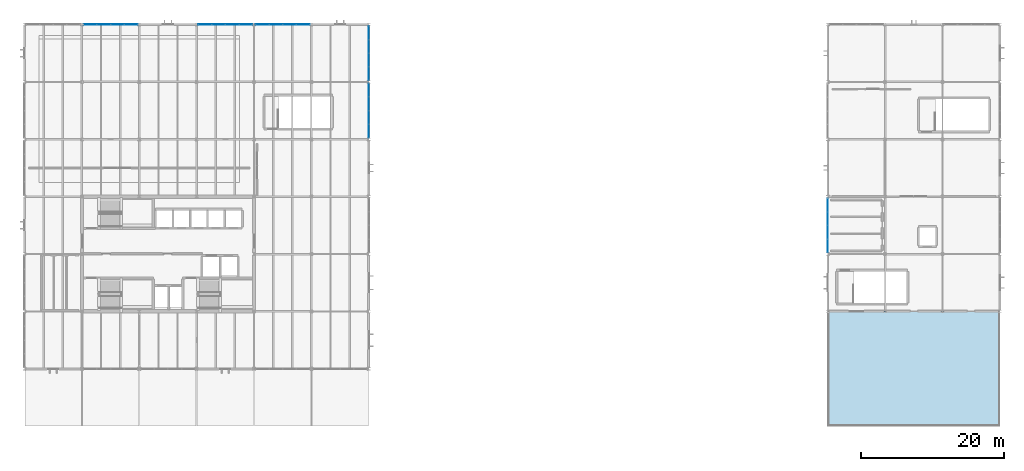
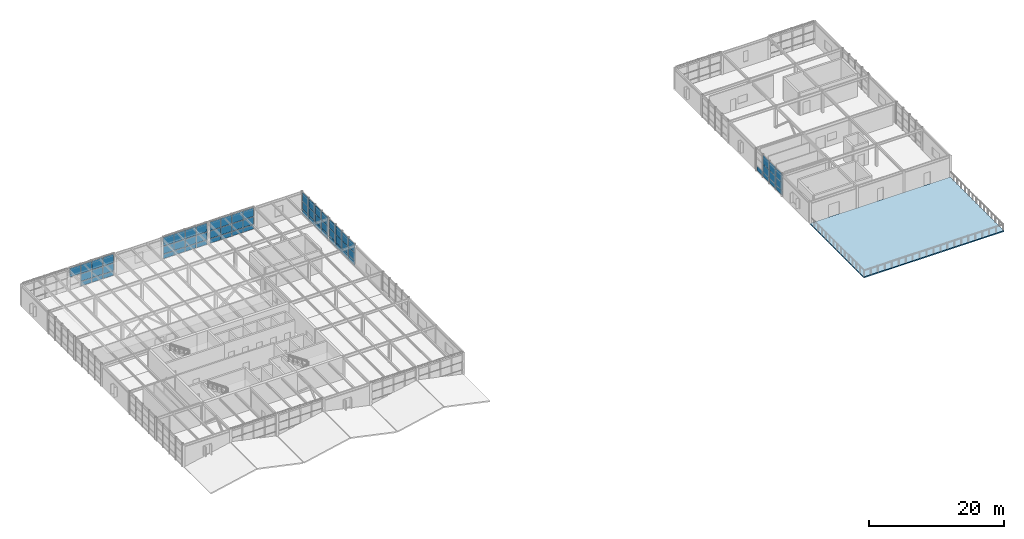
# One storey, part 23 of 34: 68 plates, 1 slab, 6 elements without a shape of their own.
"""IFC4 building model written with IfcOpenShell, lengths in metres."""

import ifcopenshell
import ifcopenshell.guid

model = None  # the IFC model being written
_history = None  # IfcOwnerHistory: only IFC2X3 demands one
_inside = {}  # id of a spatial element -> (the spatial element, [elements in it])
_under = {}  # id of a project, library or spatial element -> (it, [spatial elements below it])
_declared = {}  # id of a project -> (the project, [libraries it declares])
_typed = {}  # id of a type object -> (the type object, [elements of that type])
_made_of = {}  # id of a material, layer set ... -> (it, [elements and type objects made of it])


def new_model(schema):
    """Start an empty IFC model of exactly this schema.

    Asked for "IFC4X3", IfcOpenShell would pick the latest addendum, in which some entities
    have other attributes; the version numbers below select the first issue.
    IFC2X3 requires an IfcOwnerHistory on every rooted entity: one is made here for all.
    """
    global model, _history
    if schema == "IFC4X3":
        model = ifcopenshell.file(schema_version=(4, 3, 0, 0))
    else:
        model = ifcopenshell.file(schema=schema)
    _inside.clear()
    _under.clear()
    _declared.clear()
    _typed.clear()
    _made_of.clear()
    _history = None
    if model.schema == "IFC2X3":
        org = make("IfcOrganization", Name="unknown")
        user = make(
            "IfcPersonAndOrganization",
            ThePerson=make("IfcPerson", FamilyName="unknown"),
            TheOrganization=org,
        )
        app = make(
            "IfcApplication",
            ApplicationDeveloper=org,
            Version="unknown",
            ApplicationFullName="unknown",
            ApplicationIdentifier="unknown",
        )
        _history = make(
            "IfcOwnerHistory",
            OwningUser=user,
            OwningApplication=app,
            ChangeAction="ADDED",
            CreationDate=0,
        )
    return model


def make(cls, **values):
    """One entity of the class cls with the attributes given. An attribute that is None is left unset."""
    return model.create_entity(
        cls, **{name: value for name, value in values.items() if value is not None}
    )


def rooted(cls, **values):
    """An entity with a GlobalId (a new one), such as an element, a storey or a relation."""
    return make(cls, GlobalId=ifcopenshell.guid.new(), OwnerHistory=_history, **values)


def si_unit(unit_type, name, prefix=None):
    """IfcSIUnit, for example si_unit("LENGTHUNIT", "METRE", prefix="MILLI")."""
    return make("IfcSIUnit", UnitType=unit_type, Prefix=prefix, Name=name)


def assignment(units):
    """IfcUnitAssignment: the units of a project."""
    return None if units is None else make("IfcUnitAssignment", Units=units)


def point(xyz):
    """IfcCartesianPoint."""
    return None if xyz is None else make("IfcCartesianPoint", Coordinates=xyz)


def direction(xyz):
    """IfcDirection."""
    return None if xyz is None else make("IfcDirection", DirectionRatios=xyz)


def frame(location, z_axis=None, x_axis=None):
    """IfcAxis2Placement3D, a coordinate frame: its origin and axes. An axis left out is left unset."""
    return make(
        "IfcAxis2Placement3D",
        Location=point(location),
        Axis=direction(z_axis),
        RefDirection=direction(x_axis),
    )


def frame_2d(location, x_axis=None):
    """IfcAxis2Placement2D, a coordinate frame in the plane: its origin and x axis."""
    return make(
        "IfcAxis2Placement2D", Location=point(location), RefDirection=direction(x_axis)
    )


def origin():
    """The frame at (0, 0, 0) with its axes left unset."""
    return frame((0.0, 0.0, 0.0))


def origin_2d():
    """The frame at (0, 0) in the plane with its x axis left unset."""
    return frame_2d((0.0, 0.0))


def place(relative_to, where):
    """IfcLocalPlacement: puts the frame where relative to a parent placement (None: the world)."""
    return make(
        "IfcLocalPlacement", PlacementRelTo=relative_to, RelativePlacement=where
    )


def context(
    kind, dimensions, precision=None, world=None, true_north=None, identifier=None
):
    """IfcGeometricRepresentationContext, for example the 3D "Model" context."""
    return make(
        "IfcGeometricRepresentationContext",
        ContextIdentifier=identifier,
        ContextType=kind,
        CoordinateSpaceDimension=dimensions,
        Precision=precision,
        WorldCoordinateSystem=world,
        TrueNorth=true_north,
    )


def subcontext(parent, identifier, kind, view, scale=None):
    """IfcGeometricRepresentationSubContext, for example "Body" below "Model"."""
    return make(
        "IfcGeometricRepresentationSubContext",
        ContextIdentifier=identifier,
        ContextType=kind,
        ParentContext=parent,
        TargetScale=scale,
        TargetView=view,
    )


def project(units=None, contexts=None):
    """IfcProject with its units and contexts."""
    return rooted(
        "IfcProject",
        Name="project",
        RepresentationContexts=contexts,
        UnitsInContext=assignment(units),
    )


def spatial(cls, under=None, at=None, **own):
    """A site, building, storey or space (cls), placed at a placement, below another one or the project."""
    s = rooted(cls, ObjectPlacement=at, **own)
    if under is not None:
        _under.setdefault(under.id(), (under, []))[1].append(s)
    return s


def polyline(points):
    """IfcPolyline through the points."""
    return make("IfcPolyline", Points=[point(p) for p in points])


def profile(cls, at=None, kind="AREA", **sizes):
    """A parametric profile (cls). Its sizes go by their IFC names, for example OverallWidth=200.0."""
    return make(cls, ProfileType=kind, Position=at, **sizes)


def rectangle(**sizes):
    """IfcRectangleProfileDef."""
    return profile("IfcRectangleProfileDef", **sizes)


def outline(outer, holes=None, kind="AREA"):
    """IfcArbitraryClosedProfileDef: a profile drawn as a closed curve; with holes, ...WithVoids."""
    if holes is None:
        return make("IfcArbitraryClosedProfileDef", ProfileType=kind, OuterCurve=outer)
    return make(
        "IfcArbitraryProfileDefWithVoids",
        ProfileType=kind,
        OuterCurve=outer,
        InnerCurves=holes,
    )


def extrude(swept, where, along, depth):
    """IfcExtrudedAreaSolid: the profile swept, set in the frame where, extruded along a direction by depth."""
    return make(
        "IfcExtrudedAreaSolid",
        SweptArea=swept,
        Position=where,
        ExtrudedDirection=direction(along),
        Depth=depth,
    )


def shape(context_of_items, identifier, shape_type, items):
    """IfcShapeRepresentation: the items that make up one representation, for example the "Body"."""
    return make(
        "IfcShapeRepresentation",
        ContextOfItems=context_of_items,
        RepresentationIdentifier=identifier,
        RepresentationType=shape_type,
        Items=items,
    )


def material(Name=None, Category=None):
    """IfcMaterial."""
    return make("IfcMaterial", Name=Name, Category=Category)


def layer(
    of_material, thickness, ventilated=None, Name=None, Category=None, Priority=None
):
    """IfcMaterialLayer: one layer of a wall or slab, of a material (None: an air gap)."""
    return make(
        "IfcMaterialLayer",
        Material=of_material,
        LayerThickness=thickness,
        IsVentilated=ventilated,
        Name=Name,
        Category=Category,
        Priority=Priority,
    )


def layer_set(layers, Name=None):
    """IfcMaterialLayerSet."""
    return make("IfcMaterialLayerSet", MaterialLayers=layers, LayerSetName=Name)


def made_of(thing, what):
    """Note that an element or type object is made of a material, layer set ...; save() writes the relation."""
    if what is not None:
        _made_of.setdefault(what.id(), (what, []))[1].append(thing)
    return thing


def type_object(cls, material=None, **own):
    """A type object (cls), such as IfcWallType, which elements share."""
    return made_of(rooted(cls, **own), material)


def element(
    cls,
    number,
    at=None,
    inside=None,
    cuts=None,
    type_object=None,
    material=None,
    context=None,
    identifier="Body",
    shape_type=None,
    held_by="IfcProductDefinitionShape",
    body=None,
    shapes=None,
    **own,
):
    """One element of the class cls, such as IfcWall. Its Tag is "e" and its number.

    at: its placement. inside: the storey or other place that contains it. cuts: it is an
    opening in that element (IfcRelVoidsElement). A single representation is given by context,
    identifier, shape_type and body (its items); several are given by shapes. held_by: the class
    of the entity that holds the representations. save() writes the other relations.
    """
    e = rooted(cls, Tag="e%d" % number, ObjectPlacement=at, **own)
    if body is not None:
        shapes = [shape(context, identifier, shape_type, body)]
    if shapes is not None:
        e.Representation = make(held_by, Representations=shapes)
    if inside is not None:
        _inside.setdefault(inside.id(), (inside, []))[1].append(e)
    if cuts is not None:
        rooted(
            "IfcRelVoidsElement", RelatingBuildingElement=cuts, RelatedOpeningElement=e
        )
    if type_object is not None:
        _typed.setdefault(type_object.id(), (type_object, []))[1].append(e)
    return made_of(e, material)


def aggregate(whole, parts):
    """IfcRelAggregates: a whole, such as a stair, and the parts it consists of."""
    return rooted("IfcRelAggregates", RelatingObject=whole, RelatedObjects=parts)


def save(model, path):
    """Write the relations noted so far, then the file.

    IfcRelAggregates (storeys below a building ...), IfcRelContainedInSpatialStructure (elements
    in a storey), IfcRelDefinesByType, IfcRelAssociatesMaterial and IfcRelDeclares: one each for
    every whole, place, type object, material and project.
    """
    for whole, parts in _under.values():
        aggregate(whole, parts)
    for where, things in _inside.values():
        rooted(
            "IfcRelContainedInSpatialStructure",
            RelatedElements=things,
            RelatingStructure=where,
        )
    for kind, things in _typed.values():
        rooted("IfcRelDefinesByType", RelatedObjects=things, RelatingType=kind)
    for what, things in _made_of.values():
        rooted("IfcRelAssociatesMaterial", RelatedObjects=things, RelatingMaterial=what)
    for by, libraries in _declared.values():
        rooted("IfcRelDeclares", RelatingContext=by, RelatedDefinitions=libraries)
    model.write(path)


model = new_model("IFC4")

# Units and contexts
model_context = context("Model", 3, precision=1e-05, world=origin(), true_north=direction((0.0, 1.0)))
body_context = subcontext(model_context, "Body", "Model", "MODEL_VIEW")
ifc_project = project(units=[si_unit("LENGTHUNIT", "METRE"), si_unit("AREAUNIT", "SQUARE_METRE"), si_unit("VOLUMEUNIT", "CUBIC_METRE"), si_unit("PLANEANGLEUNIT", "RADIAN"), si_unit("MASSUNIT", "GRAM", prefix="KILO")], contexts=[model_context])

# Site, building, storey
site_placement = place(None, origin())
site = spatial("IfcSite", under=ifc_project, at=site_placement, CompositionType="ELEMENT")
building_placement = place(site_placement, origin())
building = spatial("IfcBuilding", under=site, at=building_placement, Name="Varnela Railside Interchange", CompositionType="ELEMENT")
storey_placement = place(building_placement, frame((0.0, 0.0, 19.60009765625)))
storey = spatial("IfcBuildingStorey", under=building, at=storey_placement, Name="L04", CompositionType="ELEMENT", Elevation=19.60009765625)

# Curtain wall, plates
ifc_material_1 = material(Name="Aluminium 6063-T6", Category="aluminium")
ifc_layer_1 = layer(ifc_material_1, 0.035888671875)
ifc_layer_set_1 = layer_set([ifc_layer_1], Name="Aluminium 6063-T6")
curtain_wall_type_1 = type_object("IfcCurtainWallType", Name="Operations Wing Facade Curtain Wall CW-03", PredefinedType="USERDEFINED", material=ifc_layer_set_1)
curtain_wall_1_placement = place(storey_placement, origin())
curtain_wall_1 = element("IfcCurtainWall", 1, at=curtain_wall_1_placement, inside=storey, type_object=curtain_wall_type_1, Name="Curtain Wall CW-03 (L04) (CW-106)", ObjectType="CURTAIN WALL", PredefinedType="USERDEFINED")
ifc_material_2 = material(Name="Glass laminated double", Category="glass")
ifc_layer_2 = layer(ifc_material_2, 0.0400390625)
ifc_layer_set_2 = layer_set([ifc_layer_2], Name="Glass laminated double")
plate_type_1 = type_object("IfcPlateType", Name="Acoustic Laminated Vision GL-03", PredefinedType="CURTAIN_PANEL", material=ifc_layer_set_2)
plate_1_placement = place(storey_placement, frame((13.15380859375, 94.0, 2.361328125), z_axis=(0.0, 0.0, 1.0), x_axis=(1.0, 0.0, 0.0)))
plate_1 = element("IfcPlate", 2, at=plate_1_placement, type_object=plate_type_1, Name="CW-03 panel 1.3", PredefinedType="CURTAIN_PANEL", context=body_context, shape_type="SweptSolid", body=[
    extrude(rectangle(XDim=1.8173828125, YDim=0.0400390625, at=origin_2d()), origin(), (0.0, 0.0, 1.0), 1.598388671875),
])
plate_2_placement = place(storey_placement, frame((15.046142578125, 94.0, 0.059814453125), z_axis=(0.0, 0.0, 1.0), x_axis=(1.0, 0.0, 0.0)))
plate_2 = element("IfcPlate", 3, at=plate_2_placement, type_object=plate_type_1, Name="CW-03 panel 2.1", PredefinedType="CURTAIN_PANEL", context=body_context, shape_type="SweptSolid", body=[
    extrude(rectangle(XDim=1.847412109375, YDim=0.0400390625, at=origin_2d()), origin(), (0.0, 0.0, 1.0), 0.81005859375),
])
plate_3_placement = place(storey_placement, frame((15.046142578125, 94.0, 0.929931640625), z_axis=(0.0, 0.0, 1.0), x_axis=(1.0, 0.0, 0.0)))
plate_3 = element("IfcPlate", 4, at=plate_3_placement, type_object=plate_type_1, Name="CW-03 panel 2.2", PredefinedType="CURTAIN_PANEL", context=body_context, shape_type="SweptSolid", body=[
    extrude(rectangle(XDim=1.847412109375, YDim=0.0400390625, at=origin_2d()), origin(), (0.0, 0.0, 1.0), 1.37158203125),
])
plate_4_placement = place(storey_placement, frame((15.046142578125, 94.0, 2.361328125), z_axis=(0.0, 0.0, 1.0), x_axis=(1.0, 0.0, 0.0)))
plate_4 = element("IfcPlate", 5, at=plate_4_placement, type_object=plate_type_1, Name="CW-03 panel 2.3", PredefinedType="CURTAIN_PANEL", context=body_context, shape_type="SweptSolid", body=[
    extrude(rectangle(XDim=1.847412109375, YDim=0.0400390625, at=origin_2d()), origin(), (0.0, 0.0, 1.0), 1.598388671875),
])
plate_5_placement = place(storey_placement, frame((16.953857421875, 94.0, 0.059814453125), z_axis=(0.0, 0.0, 1.0), x_axis=(1.0, 0.0, 0.0)))
plate_5 = element("IfcPlate", 6, at=plate_5_placement, type_object=plate_type_1, Name="CW-03 panel 3.1", PredefinedType="CURTAIN_PANEL", context=body_context, shape_type="SweptSolid", body=[
    extrude(rectangle(XDim=1.847412109375, YDim=0.0400390625, at=origin_2d()), origin(), (0.0, 0.0, 1.0), 0.81005859375),
])
plate_6_placement = place(storey_placement, frame((16.953857421875, 94.0, 0.929931640625), z_axis=(0.0, 0.0, 1.0), x_axis=(1.0, 0.0, 0.0)))
plate_6 = element("IfcPlate", 7, at=plate_6_placement, type_object=plate_type_1, Name="CW-03 panel 3.2", PredefinedType="CURTAIN_PANEL", context=body_context, shape_type="SweptSolid", body=[
    extrude(rectangle(XDim=1.847412109375, YDim=0.0400390625, at=origin_2d()), origin(), (0.0, 0.0, 1.0), 1.37158203125),
])
plate_7_placement = place(storey_placement, frame((16.953857421875, 94.0, 2.361328125), z_axis=(0.0, 0.0, 1.0), x_axis=(1.0, 0.0, 0.0)))
plate_7 = element("IfcPlate", 8, at=plate_7_placement, type_object=plate_type_1, Name="CW-03 panel 3.3", PredefinedType="CURTAIN_PANEL", context=body_context, shape_type="SweptSolid", body=[
    extrude(rectangle(XDim=1.847412109375, YDim=0.0400390625, at=origin_2d()), origin(), (0.0, 0.0, 1.0), 1.598388671875),
])
plate_8_placement = place(storey_placement, frame((18.84619140625, 94.0, 0.059814453125), z_axis=(0.0, 0.0, 1.0), x_axis=(1.0, 0.0, 0.0)))
plate_8 = element("IfcPlate", 9, at=plate_8_placement, type_object=plate_type_1, Name="CW-03 panel 4.1", PredefinedType="CURTAIN_PANEL", context=body_context, shape_type="SweptSolid", body=[
    extrude(rectangle(XDim=1.8173828125, YDim=0.0400390625, at=origin_2d()), origin(), (0.0, 0.0, 1.0), 0.81005859375),
])
plate_9_placement = place(storey_placement, frame((18.84619140625, 94.0, 0.929931640625), z_axis=(0.0, 0.0, 1.0), x_axis=(1.0, 0.0, 0.0)))
plate_9 = element("IfcPlate", 10, at=plate_9_placement, type_object=plate_type_1, Name="CW-03 panel 4.2", PredefinedType="CURTAIN_PANEL", context=body_context, shape_type="SweptSolid", body=[
    extrude(rectangle(XDim=1.8173828125, YDim=0.0400390625, at=origin_2d()), origin(), (0.0, 0.0, 1.0), 1.37158203125),
])
plate_10_placement = place(storey_placement, frame((18.84619140625, 94.0, 2.361328125), z_axis=(0.0, 0.0, 1.0), x_axis=(1.0, 0.0, 0.0)))
plate_10 = element("IfcPlate", 11, at=plate_10_placement, type_object=plate_type_1, Name="CW-03 panel 4.3", PredefinedType="CURTAIN_PANEL", context=body_context, shape_type="SweptSolid", body=[
    extrude(rectangle(XDim=1.8173828125, YDim=0.0400390625, at=origin_2d()), origin(), (0.0, 0.0, 1.0), 1.598388671875),
])
aggregate(curtain_wall_1, [plate_1, plate_2, plate_3, plate_4, plate_5, plate_6, plate_7, plate_8, plate_9, plate_10])

curtain_wall_2_placement = place(storey_placement, origin())
curtain_wall_2 = element("IfcCurtainWall", 12, at=curtain_wall_2_placement, inside=storey, type_object=curtain_wall_type_1, Name="Curtain Wall CW-03 (L04) (CW-107)", ObjectType="CURTAIN WALL", PredefinedType="USERDEFINED")
plate_11_placement = place(storey_placement, frame((29.15380859375, 94.0, 0.059814453125), z_axis=(0.0, 0.0, 1.0), x_axis=(1.0, 0.0, 0.0)))
plate_11 = element("IfcPlate", 13, at=plate_11_placement, type_object=plate_type_1, Name="CW-03 panel 1.1", PredefinedType="CURTAIN_PANEL", context=body_context, shape_type="SweptSolid", body=[
    extrude(rectangle(XDim=1.8173828125, YDim=0.0400390625, at=origin_2d()), origin(), (0.0, 0.0, 1.0), 0.81005859375),
])
plate_12_placement = place(storey_placement, frame((29.15380859375, 94.0, 0.929931640625), z_axis=(0.0, 0.0, 1.0), x_axis=(1.0, 0.0, 0.0)))
plate_12 = element("IfcPlate", 14, at=plate_12_placement, type_object=plate_type_1, Name="CW-03 panel 1.2", PredefinedType="CURTAIN_PANEL", context=body_context, shape_type="SweptSolid", body=[
    extrude(rectangle(XDim=1.8173828125, YDim=0.0400390625, at=origin_2d()), origin(), (0.0, 0.0, 1.0), 1.37158203125),
])
plate_13_placement = place(storey_placement, frame((29.15380859375, 94.0, 2.361328125), z_axis=(0.0, 0.0, 1.0), x_axis=(1.0, 0.0, 0.0)))
plate_13 = element("IfcPlate", 15, at=plate_13_placement, type_object=plate_type_1, Name="CW-03 panel 1.3", PredefinedType="CURTAIN_PANEL", context=body_context, shape_type="SweptSolid", body=[
    extrude(rectangle(XDim=1.8173828125, YDim=0.0400390625, at=origin_2d()), origin(), (0.0, 0.0, 1.0), 1.598388671875),
])
plate_14_placement = place(storey_placement, frame((31.046142578125, 94.0, 0.059814453125), z_axis=(0.0, 0.0, 1.0), x_axis=(1.0, 0.0, 0.0)))
plate_14 = element("IfcPlate", 16, at=plate_14_placement, type_object=plate_type_1, Name="CW-03 panel 2.1", PredefinedType="CURTAIN_PANEL", context=body_context, shape_type="SweptSolid", body=[
    extrude(rectangle(XDim=1.847412109375, YDim=0.0400390625, at=origin_2d()), origin(), (0.0, 0.0, 1.0), 0.81005859375),
])
plate_15_placement = place(storey_placement, frame((31.046142578125, 94.0, 0.929931640625), z_axis=(0.0, 0.0, 1.0), x_axis=(1.0, 0.0, 0.0)))
plate_15 = element("IfcPlate", 17, at=plate_15_placement, type_object=plate_type_1, Name="CW-03 panel 2.2", PredefinedType="CURTAIN_PANEL", context=body_context, shape_type="SweptSolid", body=[
    extrude(rectangle(XDim=1.847412109375, YDim=0.0400390625, at=origin_2d()), origin(), (0.0, 0.0, 1.0), 1.37158203125),
])
plate_16_placement = place(storey_placement, frame((31.046142578125, 94.0, 2.361328125), z_axis=(0.0, 0.0, 1.0), x_axis=(1.0, 0.0, 0.0)))
plate_16 = element("IfcPlate", 18, at=plate_16_placement, type_object=plate_type_1, Name="CW-03 panel 2.3", PredefinedType="CURTAIN_PANEL", context=body_context, shape_type="SweptSolid", body=[
    extrude(rectangle(XDim=1.847412109375, YDim=0.0400390625, at=origin_2d()), origin(), (0.0, 0.0, 1.0), 1.598388671875),
])
plate_17_placement = place(storey_placement, frame((32.953857421875, 94.0, 0.059814453125), z_axis=(0.0, 0.0, 1.0), x_axis=(1.0, 0.0, 0.0)))
plate_17 = element("IfcPlate", 19, at=plate_17_placement, type_object=plate_type_1, Name="CW-03 panel 3.1", PredefinedType="CURTAIN_PANEL", context=body_context, shape_type="SweptSolid", body=[
    extrude(rectangle(XDim=1.847412109375, YDim=0.0400390625, at=origin_2d()), origin(), (0.0, 0.0, 1.0), 0.81005859375),
])
plate_18_placement = place(storey_placement, frame((32.953857421875, 94.0, 0.929931640625), z_axis=(0.0, 0.0, 1.0), x_axis=(1.0, 0.0, 0.0)))
plate_18 = element("IfcPlate", 20, at=plate_18_placement, type_object=plate_type_1, Name="CW-03 panel 3.2", PredefinedType="CURTAIN_PANEL", context=body_context, shape_type="SweptSolid", body=[
    extrude(rectangle(XDim=1.847412109375, YDim=0.0400390625, at=origin_2d()), origin(), (0.0, 0.0, 1.0), 1.37158203125),
])
plate_19_placement = place(storey_placement, frame((32.953857421875, 94.0, 2.361328125), z_axis=(0.0, 0.0, 1.0), x_axis=(1.0, 0.0, 0.0)))
plate_19 = element("IfcPlate", 21, at=plate_19_placement, type_object=plate_type_1, Name="CW-03 panel 3.3", PredefinedType="CURTAIN_PANEL", context=body_context, shape_type="SweptSolid", body=[
    extrude(rectangle(XDim=1.847412109375, YDim=0.0400390625, at=origin_2d()), origin(), (0.0, 0.0, 1.0), 1.598388671875),
])
plate_20_placement = place(storey_placement, frame((34.84619140625, 94.0, 0.059814453125), z_axis=(0.0, 0.0, 1.0), x_axis=(1.0, 0.0, 0.0)))
plate_20 = element("IfcPlate", 22, at=plate_20_placement, type_object=plate_type_1, Name="CW-03 panel 4.1", PredefinedType="CURTAIN_PANEL", context=body_context, shape_type="SweptSolid", body=[
    extrude(rectangle(XDim=1.8173828125, YDim=0.0400390625, at=origin_2d()), origin(), (0.0, 0.0, 1.0), 0.81005859375),
])
plate_21_placement = place(storey_placement, frame((34.84619140625, 94.0, 0.929931640625), z_axis=(0.0, 0.0, 1.0), x_axis=(1.0, 0.0, 0.0)))
plate_21 = element("IfcPlate", 23, at=plate_21_placement, type_object=plate_type_1, Name="CW-03 panel 4.2", PredefinedType="CURTAIN_PANEL", context=body_context, shape_type="SweptSolid", body=[
    extrude(rectangle(XDim=1.8173828125, YDim=0.0400390625, at=origin_2d()), origin(), (0.0, 0.0, 1.0), 1.37158203125),
])
plate_22_placement = place(storey_placement, frame((34.84619140625, 94.0, 2.361328125), z_axis=(0.0, 0.0, 1.0), x_axis=(1.0, 0.0, 0.0)))
plate_22 = element("IfcPlate", 24, at=plate_22_placement, type_object=plate_type_1, Name="CW-03 panel 4.3", PredefinedType="CURTAIN_PANEL", context=body_context, shape_type="SweptSolid", body=[
    extrude(rectangle(XDim=1.8173828125, YDim=0.0400390625, at=origin_2d()), origin(), (0.0, 0.0, 1.0), 1.598388671875),
])
aggregate(curtain_wall_2, [plate_11, plate_12, plate_13, plate_14, plate_15, plate_16, plate_17, plate_18, plate_19, plate_20, plate_21, plate_22])

curtain_wall_3_placement = place(storey_placement, origin())
curtain_wall_3 = element("IfcCurtainWall", 25, at=curtain_wall_3_placement, inside=storey, type_object=curtain_wall_type_1, Name="Curtain Wall CW-03 (L04) (CW-108)", ObjectType="CURTAIN WALL", PredefinedType="USERDEFINED")
plate_23_placement = place(storey_placement, frame((37.15380859375, 94.0, 0.059814453125), z_axis=(0.0, 0.0, 1.0), x_axis=(1.0, 0.0, 0.0)))
plate_23 = element("IfcPlate", 26, at=plate_23_placement, type_object=plate_type_1, Name="CW-03 panel 1.1", PredefinedType="CURTAIN_PANEL", context=body_context, shape_type="SweptSolid", body=[
    extrude(rectangle(XDim=1.8173828125, YDim=0.0400390625, at=origin_2d()), origin(), (0.0, 0.0, 1.0), 0.81005859375),
])
plate_24_placement = place(storey_placement, frame((37.15380859375, 94.0, 0.929931640625), z_axis=(0.0, 0.0, 1.0), x_axis=(1.0, 0.0, 0.0)))
plate_24 = element("IfcPlate", 27, at=plate_24_placement, type_object=plate_type_1, Name="CW-03 panel 1.2", PredefinedType="CURTAIN_PANEL", context=body_context, shape_type="SweptSolid", body=[
    extrude(rectangle(XDim=1.8173828125, YDim=0.0400390625, at=origin_2d()), origin(), (0.0, 0.0, 1.0), 1.37158203125),
])
plate_25_placement = place(storey_placement, frame((37.15380859375, 94.0, 2.361328125), z_axis=(0.0, 0.0, 1.0), x_axis=(1.0, 0.0, 0.0)))
plate_25 = element("IfcPlate", 28, at=plate_25_placement, type_object=plate_type_1, Name="CW-03 panel 1.3", PredefinedType="CURTAIN_PANEL", context=body_context, shape_type="SweptSolid", body=[
    extrude(rectangle(XDim=1.8173828125, YDim=0.0400390625, at=origin_2d()), origin(), (0.0, 0.0, 1.0), 1.598388671875),
])
plate_26_placement = place(storey_placement, frame((39.046142578125, 94.0, 0.059814453125), z_axis=(0.0, 0.0, 1.0), x_axis=(1.0, 0.0, 0.0)))
plate_26 = element("IfcPlate", 29, at=plate_26_placement, type_object=plate_type_1, Name="CW-03 panel 2.1", PredefinedType="CURTAIN_PANEL", context=body_context, shape_type="SweptSolid", body=[
    extrude(rectangle(XDim=1.847412109375, YDim=0.0400390625, at=origin_2d()), origin(), (0.0, 0.0, 1.0), 0.81005859375),
])
plate_27_placement = place(storey_placement, frame((39.046142578125, 94.0, 0.929931640625), z_axis=(0.0, 0.0, 1.0), x_axis=(1.0, 0.0, 0.0)))
plate_27 = element("IfcPlate", 30, at=plate_27_placement, type_object=plate_type_1, Name="CW-03 panel 2.2", PredefinedType="CURTAIN_PANEL", context=body_context, shape_type="SweptSolid", body=[
    extrude(rectangle(XDim=1.847412109375, YDim=0.0400390625, at=origin_2d()), origin(), (0.0, 0.0, 1.0), 1.37158203125),
])
plate_28_placement = place(storey_placement, frame((39.046142578125, 94.0, 2.361328125), z_axis=(0.0, 0.0, 1.0), x_axis=(1.0, 0.0, 0.0)))
plate_28 = element("IfcPlate", 31, at=plate_28_placement, type_object=plate_type_1, Name="CW-03 panel 2.3", PredefinedType="CURTAIN_PANEL", context=body_context, shape_type="SweptSolid", body=[
    extrude(rectangle(XDim=1.847412109375, YDim=0.0400390625, at=origin_2d()), origin(), (0.0, 0.0, 1.0), 1.598388671875),
])
plate_29_placement = place(storey_placement, frame((40.953857421875, 94.0, 0.059814453125), z_axis=(0.0, 0.0, 1.0), x_axis=(1.0, 0.0, 0.0)))
plate_29 = element("IfcPlate", 32, at=plate_29_placement, type_object=plate_type_1, Name="CW-03 panel 3.1", PredefinedType="CURTAIN_PANEL", context=body_context, shape_type="SweptSolid", body=[
    extrude(rectangle(XDim=1.847412109375, YDim=0.0400390625, at=origin_2d()), origin(), (0.0, 0.0, 1.0), 0.81005859375),
])
plate_30_placement = place(storey_placement, frame((40.953857421875, 94.0, 0.929931640625), z_axis=(0.0, 0.0, 1.0), x_axis=(1.0, 0.0, 0.0)))
plate_30 = element("IfcPlate", 33, at=plate_30_placement, type_object=plate_type_1, Name="CW-03 panel 3.2", PredefinedType="CURTAIN_PANEL", context=body_context, shape_type="SweptSolid", body=[
    extrude(rectangle(XDim=1.847412109375, YDim=0.0400390625, at=origin_2d()), origin(), (0.0, 0.0, 1.0), 1.37158203125),
])
plate_31_placement = place(storey_placement, frame((40.953857421875, 94.0, 2.361328125), z_axis=(0.0, 0.0, 1.0), x_axis=(1.0, 0.0, 0.0)))
plate_31 = element("IfcPlate", 34, at=plate_31_placement, type_object=plate_type_1, Name="CW-03 panel 3.3", PredefinedType="CURTAIN_PANEL", context=body_context, shape_type="SweptSolid", body=[
    extrude(rectangle(XDim=1.847412109375, YDim=0.0400390625, at=origin_2d()), origin(), (0.0, 0.0, 1.0), 1.598388671875),
])
plate_32_placement = place(storey_placement, frame((42.84619140625, 94.0, 0.059814453125), z_axis=(0.0, 0.0, 1.0), x_axis=(1.0, 0.0, 0.0)))
plate_32 = element("IfcPlate", 35, at=plate_32_placement, type_object=plate_type_1, Name="CW-03 panel 4.1", PredefinedType="CURTAIN_PANEL", context=body_context, shape_type="SweptSolid", body=[
    extrude(rectangle(XDim=1.8173828125, YDim=0.0400390625, at=origin_2d()), origin(), (0.0, 0.0, 1.0), 0.81005859375),
])
plate_33_placement = place(storey_placement, frame((42.84619140625, 94.0, 0.929931640625), z_axis=(0.0, 0.0, 1.0), x_axis=(1.0, 0.0, 0.0)))
plate_33 = element("IfcPlate", 36, at=plate_33_placement, type_object=plate_type_1, Name="CW-03 panel 4.2", PredefinedType="CURTAIN_PANEL", context=body_context, shape_type="SweptSolid", body=[
    extrude(rectangle(XDim=1.8173828125, YDim=0.0400390625, at=origin_2d()), origin(), (0.0, 0.0, 1.0), 1.37158203125),
])
plate_34_placement = place(storey_placement, frame((42.84619140625, 94.0, 2.361328125), z_axis=(0.0, 0.0, 1.0), x_axis=(1.0, 0.0, 0.0)))
plate_34 = element("IfcPlate", 37, at=plate_34_placement, type_object=plate_type_1, Name="CW-03 panel 4.3", PredefinedType="CURTAIN_PANEL", context=body_context, shape_type="SweptSolid", body=[
    extrude(rectangle(XDim=1.8173828125, YDim=0.0400390625, at=origin_2d()), origin(), (0.0, 0.0, 1.0), 1.598388671875),
])
aggregate(curtain_wall_3, [plate_23, plate_24, plate_25, plate_26, plate_27, plate_28, plate_29, plate_30, plate_31, plate_32, plate_33, plate_34])

curtain_wall_4_placement = place(storey_placement, origin())
curtain_wall_4 = element("IfcCurtainWall", 38, at=curtain_wall_4_placement, inside=storey, type_object=curtain_wall_type_1, Name="Curtain Wall CW-03 (L04) (CW-109)", ObjectType="CURTAIN WALL", PredefinedType="USERDEFINED")
plate_35_placement = place(storey_placement, frame((52.0, 92.85009765625, 0.059814453125), z_axis=(0.0, 0.0, 1.0), x_axis=(0.0, -1.0, 0.0)))
plate_35 = element("IfcPlate", 39, at=plate_35_placement, type_object=plate_type_1, Name="CW-03 panel 1.1", PredefinedType="CURTAIN_PANEL", context=body_context, shape_type="SweptSolid", body=[
    extrude(rectangle(XDim=1.820068359375, YDim=0.0400390625, at=origin_2d()), origin(), (0.0, 0.0, 1.0), 0.81005859375),
])
plate_36_placement = place(storey_placement, frame((52.0, 92.85009765625, 0.929931640625), z_axis=(0.0, 0.0, 1.0), x_axis=(0.0, -1.0, 0.0)))
plate_36 = element("IfcPlate", 40, at=plate_36_placement, type_object=plate_type_1, Name="CW-03 panel 1.2", PredefinedType="CURTAIN_PANEL", context=body_context, shape_type="SweptSolid", body=[
    extrude(rectangle(XDim=1.820068359375, YDim=0.0400390625, at=origin_2d()), origin(), (0.0, 0.0, 1.0), 1.37158203125),
])
plate_37_placement = place(storey_placement, frame((52.0, 92.85009765625, 2.361328125), z_axis=(0.0, 0.0, 1.0), x_axis=(0.0, -1.0, 0.0)))
plate_37 = element("IfcPlate", 41, at=plate_37_placement, type_object=plate_type_1, Name="CW-03 panel 1.3", PredefinedType="CURTAIN_PANEL", context=body_context, shape_type="SweptSolid", body=[
    extrude(rectangle(XDim=1.820068359375, YDim=0.0400390625, at=origin_2d()), origin(), (0.0, 0.0, 1.0), 1.598388671875),
])
plate_38_placement = place(storey_placement, frame((52.0, 90.955078125, 0.059814453125), z_axis=(0.0, 0.0, 1.0), x_axis=(0.0, -1.0, 0.0)))
plate_38 = element("IfcPlate", 42, at=plate_38_placement, type_object=plate_type_1, Name="CW-03 panel 2.1", PredefinedType="CURTAIN_PANEL", context=body_context, shape_type="SweptSolid", body=[
    extrude(rectangle(XDim=1.85009765625, YDim=0.0400390625, at=origin_2d()), origin(), (0.0, 0.0, 1.0), 0.81005859375),
])
plate_39_placement = place(storey_placement, frame((52.0, 90.955078125, 0.929931640625), z_axis=(0.0, 0.0, 1.0), x_axis=(0.0, -1.0, 0.0)))
plate_39 = element("IfcPlate", 43, at=plate_39_placement, type_object=plate_type_1, Name="CW-03 panel 2.2", PredefinedType="CURTAIN_PANEL", context=body_context, shape_type="SweptSolid", body=[
    extrude(rectangle(XDim=1.85009765625, YDim=0.0400390625, at=origin_2d()), origin(), (0.0, 0.0, 1.0), 1.37158203125),
])
plate_40_placement = place(storey_placement, frame((52.0, 90.955078125, 2.361328125), z_axis=(0.0, 0.0, 1.0), x_axis=(0.0, -1.0, 0.0)))
plate_40 = element("IfcPlate", 44, at=plate_40_placement, type_object=plate_type_1, Name="CW-03 panel 2.3", PredefinedType="CURTAIN_PANEL", context=body_context, shape_type="SweptSolid", body=[
    extrude(rectangle(XDim=1.85009765625, YDim=0.0400390625, at=origin_2d()), origin(), (0.0, 0.0, 1.0), 1.598388671875),
])
plate_41_placement = place(storey_placement, frame((52.0, 89.044921875, 0.059814453125), z_axis=(0.0, 0.0, 1.0), x_axis=(0.0, -1.0, 0.0)))
plate_41 = element("IfcPlate", 45, at=plate_41_placement, type_object=plate_type_1, Name="CW-03 panel 3.1", PredefinedType="CURTAIN_PANEL", context=body_context, shape_type="SweptSolid", body=[
    extrude(rectangle(XDim=1.85009765625, YDim=0.0400390625, at=origin_2d()), origin(), (0.0, 0.0, 1.0), 0.81005859375),
])
plate_42_placement = place(storey_placement, frame((52.0, 89.044921875, 0.929931640625), z_axis=(0.0, 0.0, 1.0), x_axis=(0.0, -1.0, 0.0)))
plate_42 = element("IfcPlate", 46, at=plate_42_placement, type_object=plate_type_1, Name="CW-03 panel 3.2", PredefinedType="CURTAIN_PANEL", context=body_context, shape_type="SweptSolid", body=[
    extrude(rectangle(XDim=1.85009765625, YDim=0.0400390625, at=origin_2d()), origin(), (0.0, 0.0, 1.0), 1.37158203125),
])
plate_43_placement = place(storey_placement, frame((52.0, 89.044921875, 2.361328125), z_axis=(0.0, 0.0, 1.0), x_axis=(0.0, -1.0, 0.0)))
plate_43 = element("IfcPlate", 47, at=plate_43_placement, type_object=plate_type_1, Name="CW-03 panel 3.3", PredefinedType="CURTAIN_PANEL", context=body_context, shape_type="SweptSolid", body=[
    extrude(rectangle(XDim=1.85009765625, YDim=0.0400390625, at=origin_2d()), origin(), (0.0, 0.0, 1.0), 1.598388671875),
])
plate_44_placement = place(storey_placement, frame((52.0, 87.14990234375, 0.059814453125), z_axis=(0.0, 0.0, 1.0), x_axis=(0.0, -1.0, 0.0)))
plate_44 = element("IfcPlate", 48, at=plate_44_placement, type_object=plate_type_1, Name="CW-03 panel 4.1", PredefinedType="CURTAIN_PANEL", context=body_context, shape_type="SweptSolid", body=[
    extrude(rectangle(XDim=1.820068359375, YDim=0.0400390625, at=origin_2d()), origin(), (0.0, 0.0, 1.0), 0.81005859375),
])
plate_45_placement = place(storey_placement, frame((52.0, 87.14990234375, 0.929931640625), z_axis=(0.0, 0.0, 1.0), x_axis=(0.0, -1.0, 0.0)))
plate_45 = element("IfcPlate", 49, at=plate_45_placement, type_object=plate_type_1, Name="CW-03 panel 4.2", PredefinedType="CURTAIN_PANEL", context=body_context, shape_type="SweptSolid", body=[
    extrude(rectangle(XDim=1.820068359375, YDim=0.0400390625, at=origin_2d()), origin(), (0.0, 0.0, 1.0), 1.37158203125),
])
plate_46_placement = place(storey_placement, frame((52.0, 87.14990234375, 2.361328125), z_axis=(0.0, 0.0, 1.0), x_axis=(0.0, -1.0, 0.0)))
plate_46 = element("IfcPlate", 50, at=plate_46_placement, type_object=plate_type_1, Name="CW-03 panel 4.3", PredefinedType="CURTAIN_PANEL", context=body_context, shape_type="SweptSolid", body=[
    extrude(rectangle(XDim=1.820068359375, YDim=0.0400390625, at=origin_2d()), origin(), (0.0, 0.0, 1.0), 1.598388671875),
])
aggregate(curtain_wall_4, [plate_35, plate_36, plate_37, plate_38, plate_39, plate_40, plate_41, plate_42, plate_43, plate_44, plate_45, plate_46])

curtain_wall_5_placement = place(storey_placement, origin())
curtain_wall_5 = element("IfcCurtainWall", 51, at=curtain_wall_5_placement, inside=storey, type_object=curtain_wall_type_1, Name="Curtain Wall CW-03 (L04) (CW-111)", ObjectType="CURTAIN WALL", PredefinedType="USERDEFINED")
plate_47_placement = place(storey_placement, frame((52.0, 84.85009765625, 0.059814453125), z_axis=(0.0, 0.0, 1.0), x_axis=(0.0, -1.0, 0.0)))
plate_47 = element("IfcPlate", 52, at=plate_47_placement, type_object=plate_type_1, Name="CW-03 panel 1.1", PredefinedType="CURTAIN_PANEL", context=body_context, shape_type="SweptSolid", body=[
    extrude(rectangle(XDim=1.820068359375, YDim=0.0400390625, at=origin_2d()), origin(), (0.0, 0.0, 1.0), 0.81005859375),
])
plate_48_placement = place(storey_placement, frame((52.0, 84.85009765625, 0.929931640625), z_axis=(0.0, 0.0, 1.0), x_axis=(0.0, -1.0, 0.0)))
plate_48 = element("IfcPlate", 53, at=plate_48_placement, type_object=plate_type_1, Name="CW-03 panel 1.2", PredefinedType="CURTAIN_PANEL", context=body_context, shape_type="SweptSolid", body=[
    extrude(rectangle(XDim=1.820068359375, YDim=0.0400390625, at=origin_2d()), origin(), (0.0, 0.0, 1.0), 1.37158203125),
])
plate_49_placement = place(storey_placement, frame((52.0, 84.85009765625, 2.361328125), z_axis=(0.0, 0.0, 1.0), x_axis=(0.0, -1.0, 0.0)))
plate_49 = element("IfcPlate", 54, at=plate_49_placement, type_object=plate_type_1, Name="CW-03 panel 1.3", PredefinedType="CURTAIN_PANEL", context=body_context, shape_type="SweptSolid", body=[
    extrude(rectangle(XDim=1.820068359375, YDim=0.0400390625, at=origin_2d()), origin(), (0.0, 0.0, 1.0), 1.598388671875),
])
plate_50_placement = place(storey_placement, frame((52.0, 82.955078125, 0.059814453125), z_axis=(0.0, 0.0, 1.0), x_axis=(0.0, -1.0, 0.0)))
plate_50 = element("IfcPlate", 55, at=plate_50_placement, type_object=plate_type_1, Name="CW-03 panel 2.1", PredefinedType="CURTAIN_PANEL", context=body_context, shape_type="SweptSolid", body=[
    extrude(rectangle(XDim=1.85009765625, YDim=0.0400390625, at=origin_2d()), origin(), (0.0, 0.0, 1.0), 0.81005859375),
])
plate_51_placement = place(storey_placement, frame((52.0, 82.955078125, 0.929931640625), z_axis=(0.0, 0.0, 1.0), x_axis=(0.0, -1.0, 0.0)))
plate_51 = element("IfcPlate", 56, at=plate_51_placement, type_object=plate_type_1, Name="CW-03 panel 2.2", PredefinedType="CURTAIN_PANEL", context=body_context, shape_type="SweptSolid", body=[
    extrude(rectangle(XDim=1.85009765625, YDim=0.0400390625, at=origin_2d()), origin(), (0.0, 0.0, 1.0), 1.37158203125),
])
plate_52_placement = place(storey_placement, frame((52.0, 82.955078125, 2.361328125), z_axis=(0.0, 0.0, 1.0), x_axis=(0.0, -1.0, 0.0)))
plate_52 = element("IfcPlate", 57, at=plate_52_placement, type_object=plate_type_1, Name="CW-03 panel 2.3", PredefinedType="CURTAIN_PANEL", context=body_context, shape_type="SweptSolid", body=[
    extrude(rectangle(XDim=1.85009765625, YDim=0.0400390625, at=origin_2d()), origin(), (0.0, 0.0, 1.0), 1.598388671875),
])
plate_53_placement = place(storey_placement, frame((52.0, 81.044921875, 0.059814453125), z_axis=(0.0, 0.0, 1.0), x_axis=(0.0, -1.0, 0.0)))
plate_53 = element("IfcPlate", 58, at=plate_53_placement, type_object=plate_type_1, Name="CW-03 panel 3.1", PredefinedType="CURTAIN_PANEL", context=body_context, shape_type="SweptSolid", body=[
    extrude(rectangle(XDim=1.85009765625, YDim=0.0400390625, at=origin_2d()), origin(), (0.0, 0.0, 1.0), 0.81005859375),
])
plate_54_placement = place(storey_placement, frame((52.0, 81.044921875, 0.929931640625), z_axis=(0.0, 0.0, 1.0), x_axis=(0.0, -1.0, 0.0)))
plate_54 = element("IfcPlate", 59, at=plate_54_placement, type_object=plate_type_1, Name="CW-03 panel 3.2", PredefinedType="CURTAIN_PANEL", context=body_context, shape_type="SweptSolid", body=[
    extrude(rectangle(XDim=1.85009765625, YDim=0.0400390625, at=origin_2d()), origin(), (0.0, 0.0, 1.0), 1.37158203125),
])
plate_55_placement = place(storey_placement, frame((52.0, 81.044921875, 2.361328125), z_axis=(0.0, 0.0, 1.0), x_axis=(0.0, -1.0, 0.0)))
plate_55 = element("IfcPlate", 60, at=plate_55_placement, type_object=plate_type_1, Name="CW-03 panel 3.3", PredefinedType="CURTAIN_PANEL", context=body_context, shape_type="SweptSolid", body=[
    extrude(rectangle(XDim=1.85009765625, YDim=0.0400390625, at=origin_2d()), origin(), (0.0, 0.0, 1.0), 1.598388671875),
])
plate_56_placement = place(storey_placement, frame((52.0, 79.14990234375, 0.059814453125), z_axis=(0.0, 0.0, 1.0), x_axis=(0.0, -1.0, 0.0)))
plate_56 = element("IfcPlate", 61, at=plate_56_placement, type_object=plate_type_1, Name="CW-03 panel 4.1", PredefinedType="CURTAIN_PANEL", context=body_context, shape_type="SweptSolid", body=[
    extrude(rectangle(XDim=1.820068359375, YDim=0.0400390625, at=origin_2d()), origin(), (0.0, 0.0, 1.0), 0.81005859375),
])
plate_57_placement = place(storey_placement, frame((52.0, 79.14990234375, 0.929931640625), z_axis=(0.0, 0.0, 1.0), x_axis=(0.0, -1.0, 0.0)))
plate_57 = element("IfcPlate", 62, at=plate_57_placement, type_object=plate_type_1, Name="CW-03 panel 4.2", PredefinedType="CURTAIN_PANEL", context=body_context, shape_type="SweptSolid", body=[
    extrude(rectangle(XDim=1.820068359375, YDim=0.0400390625, at=origin_2d()), origin(), (0.0, 0.0, 1.0), 1.37158203125),
])
plate_58_placement = place(storey_placement, frame((52.0, 79.14990234375, 2.361328125), z_axis=(0.0, 0.0, 1.0), x_axis=(0.0, -1.0, 0.0)))
plate_58 = element("IfcPlate", 63, at=plate_58_placement, type_object=plate_type_1, Name="CW-03 panel 4.3", PredefinedType="CURTAIN_PANEL", context=body_context, shape_type="SweptSolid", body=[
    extrude(rectangle(XDim=1.820068359375, YDim=0.0400390625, at=origin_2d()), origin(), (0.0, 0.0, 1.0), 1.598388671875),
])
aggregate(curtain_wall_5, [plate_47, plate_48, plate_49, plate_50, plate_51, plate_52, plate_53, plate_54, plate_55, plate_56, plate_57, plate_58])

# Slab
ifc_material_3 = material(Name="Concrete C40", Category="concrete")
ifc_layer_3 = layer(ifc_material_3, 0.199951171875)
ifc_layer_set_3 = layer_set([ifc_layer_3], Name="Concrete C40")
slab_type = type_object("IfcSlabType", Name="Library Setback Terrace Slab SL-TR04", PredefinedType="FLOOR", material=ifc_layer_set_3)
slab_placement = place(storey_placement, frame((0.0, 0.0, -0.2001953125)))
element("IfcSlab", 64, at=slab_placement, inside=storey, type_object=slab_type, Name="Library Setback Terrace Slab SL-TR04 (L04) (SL-0181)", PredefinedType="FLOOR", context=body_context, shape_type="SweptSolid", body=[
    extrude(outline(polyline([(116.0, 38.0), (140.0, 38.0), (140.0, 54.0), (116.0, 54.0), (116.0, 38.0)])), origin(), (0.0, 0.0, 1.0), 0.2001953125),
])

# Curtain wall, plates
ifc_layer_4 = layer(ifc_material_1, 0.035888671875)
ifc_layer_set_4 = layer_set([ifc_layer_4], Name="Aluminium 6063-T6")
curtain_wall_type_2 = type_object("IfcCurtainWallType", Name="Study Pavilion Gallery Curtain Wall CW-02", PredefinedType="USERDEFINED", material=ifc_layer_set_4)
curtain_wall_6_placement = place(storey_placement, origin())
curtain_wall_6 = element("IfcCurtainWall", 65, at=curtain_wall_6_placement, inside=storey, type_object=curtain_wall_type_2, Name="Curtain Wall CW-02 (L04) (CW-115)", ObjectType="CURTAIN WALL", PredefinedType="USERDEFINED")
ifc_layer_5 = layer(ifc_material_2, 0.02001953125)
ifc_layer_set_5 = layer_set([ifc_layer_5], Name="Glass laminated double")
plate_type_2 = type_object("IfcPlateType", Name="Low-E Vision Glazing Panel GL-01", PredefinedType="CURTAIN_PANEL", material=ifc_layer_set_5)
plate_59_placement = place(storey_placement, frame((116.0, 63.14990234375, 0.059814453125), z_axis=(0.0, 0.0, 1.0), x_axis=(0.0, 1.0, 0.0)))
plate_59 = element("IfcPlate", 66, at=plate_59_placement, type_object=plate_type_2, Name="CW-02 panel 1.1", PredefinedType="CURTAIN_PANEL", context=body_context, shape_type="SweptSolid", body=[
    extrude(rectangle(XDim=1.820068359375, YDim=0.02001953125, at=origin_2d()), origin(), (0.0, 0.0, 1.0), 0.81005859375),
])
plate_60_placement = place(storey_placement, frame((116.0, 63.14990234375, 0.929931640625), z_axis=(0.0, 0.0, 1.0), x_axis=(0.0, 1.0, 0.0)))
plate_60 = element("IfcPlate", 67, at=plate_60_placement, type_object=plate_type_2, Name="CW-02 panel 1.2", PredefinedType="CURTAIN_PANEL", context=body_context, shape_type="SweptSolid", body=[
    extrude(rectangle(XDim=1.820068359375, YDim=0.02001953125, at=origin_2d()), origin(), (0.0, 0.0, 1.0), 1.37158203125),
])
plate_61_placement = place(storey_placement, frame((116.0, 63.14990234375, 2.361328125), z_axis=(0.0, 0.0, 1.0), x_axis=(0.0, 1.0, 0.0)))
plate_61 = element("IfcPlate", 68, at=plate_61_placement, type_object=plate_type_2, Name="CW-02 panel 1.3", PredefinedType="CURTAIN_PANEL", context=body_context, shape_type="SweptSolid", body=[
    extrude(rectangle(XDim=1.820068359375, YDim=0.02001953125, at=origin_2d()), origin(), (0.0, 0.0, 1.0), 1.598388671875),
])
plate_62_placement = place(storey_placement, frame((116.0, 65.044921875, 0.059814453125), z_axis=(0.0, 0.0, 1.0), x_axis=(0.0, 1.0, 0.0)))
plate_62 = element("IfcPlate", 69, at=plate_62_placement, type_object=plate_type_2, Name="CW-02 panel 2.1", PredefinedType="CURTAIN_PANEL", context=body_context, shape_type="SweptSolid", body=[
    extrude(rectangle(XDim=1.85009765625, YDim=0.02001953125, at=origin_2d()), origin(), (0.0, 0.0, 1.0), 0.81005859375),
])
plate_63_placement = place(storey_placement, frame((116.0, 65.044921875, 0.929931640625), z_axis=(0.0, 0.0, 1.0), x_axis=(0.0, 1.0, 0.0)))
plate_63 = element("IfcPlate", 70, at=plate_63_placement, type_object=plate_type_2, Name="CW-02 panel 2.2", PredefinedType="CURTAIN_PANEL", context=body_context, shape_type="SweptSolid", body=[
    extrude(rectangle(XDim=1.85009765625, YDim=0.02001953125, at=origin_2d()), origin(), (0.0, 0.0, 1.0), 1.37158203125),
])
plate_64_placement = place(storey_placement, frame((116.0, 65.044921875, 2.361328125), z_axis=(0.0, 0.0, 1.0), x_axis=(0.0, 1.0, 0.0)))
plate_64 = element("IfcPlate", 71, at=plate_64_placement, type_object=plate_type_2, Name="CW-02 panel 2.3", PredefinedType="CURTAIN_PANEL", context=body_context, shape_type="SweptSolid", body=[
    extrude(rectangle(XDim=1.85009765625, YDim=0.02001953125, at=origin_2d()), origin(), (0.0, 0.0, 1.0), 1.598388671875),
])
plate_65_placement = place(storey_placement, frame((116.0, 66.955078125, 0.059814453125), z_axis=(0.0, 0.0, 1.0), x_axis=(0.0, 1.0, 0.0)))
plate_65 = element("IfcPlate", 72, at=plate_65_placement, type_object=plate_type_2, Name="CW-02 panel 3.1", PredefinedType="CURTAIN_PANEL", context=body_context, shape_type="SweptSolid", body=[
    extrude(rectangle(XDim=1.85009765625, YDim=0.02001953125, at=origin_2d()), origin(), (0.0, 0.0, 1.0), 0.81005859375),
])
plate_66_placement = place(storey_placement, frame((116.0, 66.955078125, 0.929931640625), z_axis=(0.0, 0.0, 1.0), x_axis=(0.0, 1.0, 0.0)))
plate_66 = element("IfcPlate", 73, at=plate_66_placement, type_object=plate_type_2, Name="CW-02 panel 3.2", PredefinedType="CURTAIN_PANEL", context=body_context, shape_type="SweptSolid", body=[
    extrude(rectangle(XDim=1.85009765625, YDim=0.02001953125, at=origin_2d()), origin(), (0.0, 0.0, 1.0), 1.37158203125),
])
plate_67_placement = place(storey_placement, frame((116.0, 66.955078125, 2.361328125), z_axis=(0.0, 0.0, 1.0), x_axis=(0.0, 1.0, 0.0)))
plate_67 = element("IfcPlate", 74, at=plate_67_placement, type_object=plate_type_2, Name="CW-02 panel 3.3", PredefinedType="CURTAIN_PANEL", context=body_context, shape_type="SweptSolid", body=[
    extrude(rectangle(XDim=1.85009765625, YDim=0.02001953125, at=origin_2d()), origin(), (0.0, 0.0, 1.0), 1.598388671875),
])
plate_68_placement = place(storey_placement, frame((116.0, 68.85009765625, 0.059814453125), z_axis=(0.0, 0.0, 1.0), x_axis=(0.0, 1.0, 0.0)))
plate_68 = element("IfcPlate", 75, at=plate_68_placement, type_object=plate_type_2, Name="CW-02 panel 4.1", PredefinedType="CURTAIN_PANEL", context=body_context, shape_type="SweptSolid", body=[
    extrude(rectangle(XDim=1.820068359375, YDim=0.02001953125, at=origin_2d()), origin(), (0.0, 0.0, 1.0), 0.81005859375),
])
aggregate(curtain_wall_6, [plate_59, plate_60, plate_61, plate_62, plate_63, plate_64, plate_65, plate_66, plate_67, plate_68])

save(model, "model.ifc")
